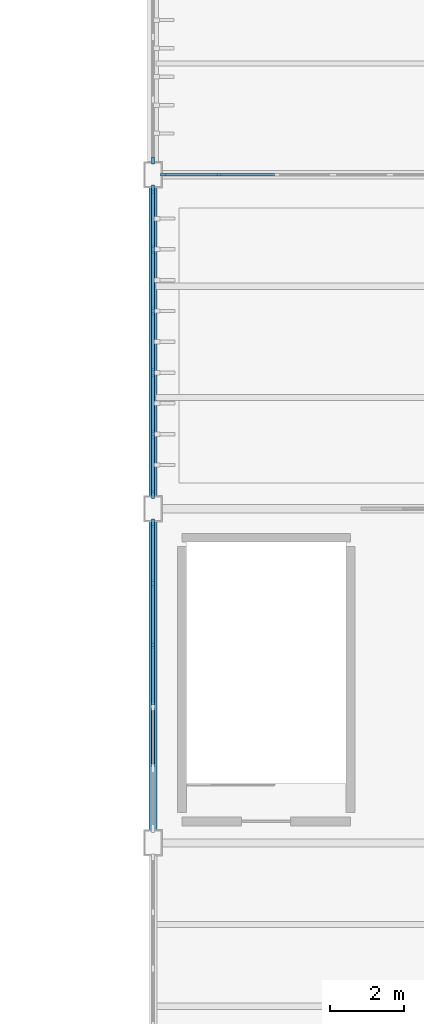
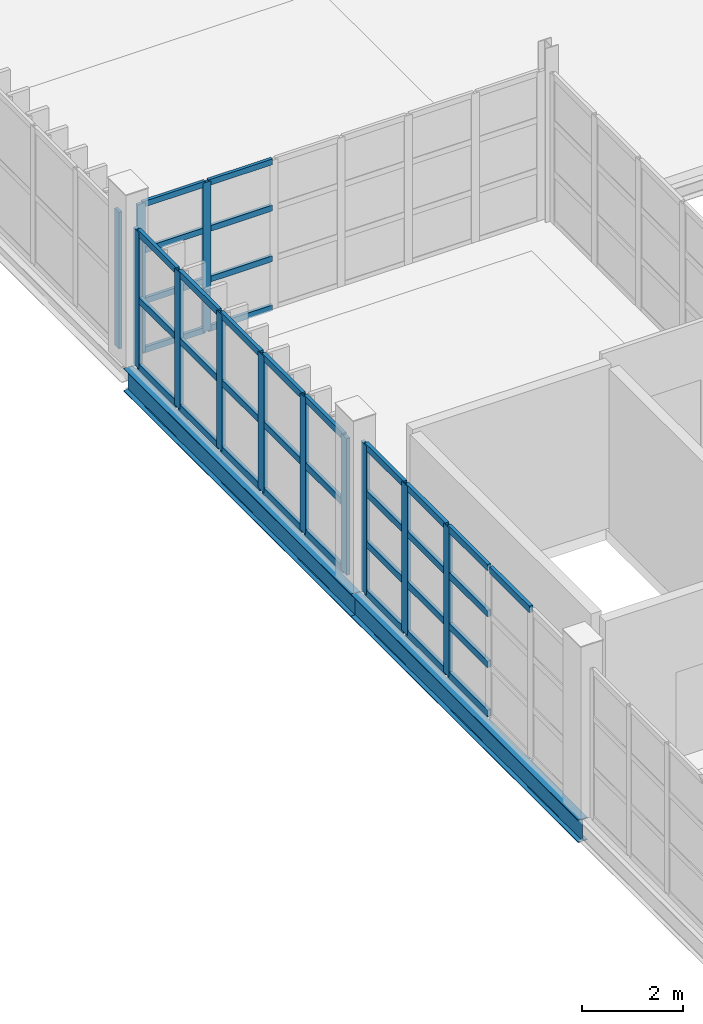
# One storey, part 27 of 82: 48 members, 2 beams, 4 elements without a shape of their own.
"""IFC4 building model written with IfcOpenShell, lengths in metres."""

from ifc_helpers import new_model, si_unit, direction, frame, origin, origin_2d, place, context, subcontext, project, spatial, rectangle, i_section, extrude, material, layer, layer_set, material_profile, profile_set, type_object, element, aggregate, save


model = new_model("IFC4")

# Units and contexts
model_context = context("Model", 3, precision=1e-05, world=origin(), true_north=direction((0.0, 1.0)))
body_context = subcontext(model_context, "Body", "Model", "MODEL_VIEW")
ifc_project = project(units=[si_unit("LENGTHUNIT", "METRE"), si_unit("AREAUNIT", "SQUARE_METRE"), si_unit("VOLUMEUNIT", "CUBIC_METRE"), si_unit("PLANEANGLEUNIT", "RADIAN"), si_unit("MASSUNIT", "GRAM", prefix="KILO")], contexts=[model_context])

# Site, building, storey
site_placement = place(None, origin())
site = spatial("IfcSite", under=ifc_project, at=site_placement, CompositionType="ELEMENT")
building_placement = place(site_placement, origin())
building = spatial("IfcBuilding", under=site, at=building_placement, Name="Zarnetskaya Central Station", CompositionType="ELEMENT")
storey_placement = place(building_placement, frame((0.0, 0.0, 10.199951171875)))
storey = spatial("IfcBuildingStorey", under=building, at=storey_placement, Name="L02", CompositionType="ELEMENT", Elevation=10.199951171875)

# Curtain wall, member
ifc_material_1 = material(Name="Low-E insulated glass", Category="glass")
ifc_layer_1 = layer(ifc_material_1, 0.16796875, Name="Low-E insulated glass", Category="glass")
ifc_layer_set_1 = layer_set([ifc_layer_1], Name="Low-E insulated glass")
curtain_wall_type_1 = type_object("IfcCurtainWallType", Name="CW-SYS-18", PredefinedType="USERDEFINED", material=ifc_layer_set_1)
curtain_wall_1_placement = place(storey_placement, origin())
curtain_wall_1 = element("IfcCurtainWall", 1, at=curtain_wall_1_placement, inside=storey, type_object=curtain_wall_type_1, Name="Curtain wall CW-L02-093", ObjectType="CURTAIN WALL", PredefinedType="USERDEFINED")
ifc_material_2 = material(Name="Anodised aluminium", Category="aluminium")
ifc_material_profile_1 = material_profile(ifc_material_2, rectangle(XDim=0.070068359375, YDim=0.179931640625, at=origin_2d()), Name="ALU MULL 70x180")
ifc_profile_set_1 = profile_set([ifc_material_profile_1], Name="Anodised aluminium")
member_type_1 = type_object("IfcMemberType", Name="CW-MULL-180", PredefinedType="MULLION", material=ifc_profile_set_1)
member_1_placement = place(storey_placement, frame((124.800048828125, 31.5849609375, 0.0), z_axis=(0.0, 0.0, 1.0), x_axis=(1.0, 0.0, 0.0)))
member_1 = element("IfcMember", 2, at=member_1_placement, type_object=member_type_1, Name="CW-10 mullion 6", PredefinedType="MULLION", context=body_context, shape_type="SweptSolid", body=[
    extrude(rectangle(XDim=0.070068359375, YDim=0.179931640625, at=origin_2d()), origin(), (0.0, 0.0, 1.0), 3.300048828125),
])
aggregate(curtain_wall_1, [member_1])

# Curtain wall, members
ifc_layer_2 = layer(ifc_material_1, 0.1640625, Name="Low-E insulated glass", Category="glass")
ifc_layer_set_2 = layer_set([ifc_layer_2], Name="Low-E insulated glass")
curtain_wall_type_2 = type_object("IfcCurtainWallType", Name="CW-SYS-07", PredefinedType="USERDEFINED", material=ifc_layer_set_2)
curtain_wall_2_placement = place(storey_placement, origin())
curtain_wall_2 = element("IfcCurtainWall", 3, at=curtain_wall_2_placement, inside=storey, type_object=curtain_wall_type_2, Name="Curtain wall CW-L02-137", ObjectType="CURTAIN WALL", PredefinedType="USERDEFINED")
member_2_placement = place(storey_placement, frame((125.0849609375, 31.199951171875, 0.0), z_axis=(0.0, 0.0, 1.0), x_axis=(0.0, 1.0, 0.0)))
member_2 = element("IfcMember", 4, at=member_2_placement, type_object=member_type_1, Name="CW-06 mullion 1", PredefinedType="MULLION", context=body_context, shape_type="SweptSolid", body=[
    extrude(rectangle(XDim=0.070068359375, YDim=0.179931640625, at=origin_2d()), origin(), (0.0, 0.0, 1.0), 3.60009765625),
])
member_3_placement = place(storey_placement, frame((126.583251953125, 31.199951171875, 0.0), z_axis=(0.0, 0.0, 1.0), x_axis=(0.0, 1.0, 0.0)))
member_3 = element("IfcMember", 5, at=member_3_placement, type_object=member_type_1, Name="CW-06 mullion 2", PredefinedType="MULLION", context=body_context, shape_type="SweptSolid", body=[
    extrude(rectangle(XDim=0.070068359375, YDim=0.179931640625, at=origin_2d()), origin(), (0.0, 0.0, 1.0), 3.60009765625),
])

curtain_wall_3_placement = place(storey_placement, origin())
curtain_wall_3 = element("IfcCurtainWall", 6, at=curtain_wall_3_placement, inside=storey, type_object=curtain_wall_type_1, Name="Curtain wall CW-L02-090", ObjectType="CURTAIN WALL", PredefinedType="USERDEFINED")
ifc_material_profile_2 = material_profile(ifc_material_2, rectangle(XDim=0.080078125, YDim=0.219970703125, at=origin_2d()), Name="ALU MULL 80x220")
ifc_profile_set_2 = profile_set([ifc_material_profile_2], Name="Anodised aluminium")
member_type_2 = type_object("IfcMemberType", Name="CW-MULL-220", PredefinedType="MULLION", material=ifc_profile_set_2)
member_4_placement = place(storey_placement, frame((124.800048828125, 30.81005859375, 0.0), z_axis=(0.0, 0.0, 1.0), x_axis=(1.0, 0.0, 0.0)))
member_4 = element("IfcMember", 7, at=member_4_placement, type_object=member_type_2, Name="CW-10 mullion 1", PredefinedType="MULLION", context=body_context, shape_type="SweptSolid", body=[
    extrude(rectangle(XDim=0.080078125, YDim=0.219970703125, at=origin_2d()), origin(), (0.0, 0.0, 1.0), 3.300048828125),
])
member_5_placement = place(storey_placement, frame((124.800048828125, 29.18994140625, 0.0), z_axis=(0.0, 0.0, 1.0), x_axis=(1.0, 0.0, 0.0)))
member_5 = element("IfcMember", 8, at=member_5_placement, type_object=member_type_2, Name="CW-10 mullion 2", PredefinedType="MULLION", context=body_context, shape_type="SweptSolid", body=[
    extrude(rectangle(XDim=0.080078125, YDim=0.219970703125, at=origin_2d()), origin(), (0.0, 0.0, 1.0), 3.300048828125),
])
member_6_placement = place(storey_placement, frame((124.800048828125, 27.530029296875, 0.0), z_axis=(0.0, 0.0, 1.0), x_axis=(1.0, 0.0, 0.0)))
member_6 = element("IfcMember", 9, at=member_6_placement, type_object=member_type_2, Name="CW-10 mullion 3", PredefinedType="MULLION", context=body_context, shape_type="SweptSolid", body=[
    extrude(rectangle(XDim=0.080078125, YDim=0.219970703125, at=origin_2d()), origin(), (0.0, 0.0, 1.0), 3.300048828125),
])
member_7_placement = place(storey_placement, frame((124.800048828125, 25.8701171875, 0.0), z_axis=(0.0, 0.0, 1.0), x_axis=(1.0, 0.0, 0.0)))
member_7 = element("IfcMember", 10, at=member_7_placement, type_object=member_type_2, Name="CW-10 mullion 4", PredefinedType="MULLION", context=body_context, shape_type="SweptSolid", body=[
    extrude(rectangle(XDim=0.080078125, YDim=0.219970703125, at=origin_2d()), origin(), (0.0, 0.0, 1.0), 3.300048828125),
])
member_8_placement = place(storey_placement, frame((124.800048828125, 24.2099609375, 0.0), z_axis=(0.0, 0.0, 1.0), x_axis=(1.0, 0.0, 0.0)))
member_8 = element("IfcMember", 11, at=member_8_placement, type_object=member_type_2, Name="CW-10 mullion 5", PredefinedType="MULLION", context=body_context, shape_type="SweptSolid", body=[
    extrude(rectangle(XDim=0.080078125, YDim=0.219970703125, at=origin_2d()), origin(), (0.0, 0.0, 1.0), 3.300048828125),
])
member_9_placement = place(storey_placement, frame((124.800048828125, 22.590087890625, 0.0), z_axis=(0.0, 0.0, 1.0), x_axis=(1.0, 0.0, 0.0)))
member_9 = element("IfcMember", 12, at=member_9_placement, type_object=member_type_2, Name="CW-10 mullion 6", PredefinedType="MULLION", context=body_context, shape_type="SweptSolid", body=[
    extrude(rectangle(XDim=0.080078125, YDim=0.219970703125, at=origin_2d()), origin(), (0.0, 0.0, 1.0), 3.300048828125),
])

curtain_wall_4_placement = place(storey_placement, origin())
curtain_wall_4 = element("IfcCurtainWall", 13, at=curtain_wall_4_placement, inside=storey, type_object=curtain_wall_type_2, Name="Curtain wall CW-L02-136", ObjectType="CURTAIN WALL", PredefinedType="USERDEFINED")
member_10_placement = place(storey_placement, frame((124.800048828125, 18.530029296875, 0.0), z_axis=(0.0, 0.0, 1.0), x_axis=(-1.0, 0.0, 0.0)))
member_10 = element("IfcMember", 14, at=member_10_placement, type_object=member_type_2, Name="CW-06 mullion 4", PredefinedType="MULLION", context=body_context, shape_type="SweptSolid", body=[
    extrude(rectangle(XDim=0.080078125, YDim=0.219970703125, at=origin_2d()), origin(), (0.0, 0.0, 1.0), 3.60009765625),
])
member_11_placement = place(storey_placement, frame((124.800048828125, 20.18994140625, 0.0), z_axis=(0.0, 0.0, 1.0), x_axis=(-1.0, 0.0, 0.0)))
member_11 = element("IfcMember", 15, at=member_11_placement, type_object=member_type_2, Name="CW-06 mullion 5", PredefinedType="MULLION", context=body_context, shape_type="SweptSolid", body=[
    extrude(rectangle(XDim=0.080078125, YDim=0.219970703125, at=origin_2d()), origin(), (0.0, 0.0, 1.0), 3.60009765625),
])
member_12_placement = place(storey_placement, frame((124.800048828125, 21.81005859375, 0.0), z_axis=(0.0, 0.0, 1.0), x_axis=(-1.0, 0.0, 0.0)))
member_12 = element("IfcMember", 16, at=member_12_placement, type_object=member_type_2, Name="CW-06 mullion 6", PredefinedType="MULLION", context=body_context, shape_type="SweptSolid", body=[
    extrude(rectangle(XDim=0.080078125, YDim=0.219970703125, at=origin_2d()), origin(), (0.0, 0.0, 1.0), 3.60009765625),
])

# Member
ifc_material_profile_3 = material_profile(ifc_material_2, rectangle(XDim=0.070068359375, YDim=0.139892578125, at=origin_2d()), Name="ALU TRAN 70x140")
ifc_profile_set_3 = profile_set([ifc_material_profile_3], Name="Anodised aluminium")
member_type_3 = type_object("IfcMemberType", Name="CW-TRAN-140", PredefinedType="USERDEFINED", material=ifc_profile_set_3)
member_13_placement = place(storey_placement, frame((125.1201171875, 31.199951171875, 0.03515625), z_axis=(1.0, 0.0, 0.0), x_axis=(0.0, 1.0, 0.0)))
member_13 = element("IfcMember", 17, at=member_13_placement, type_object=member_type_3, Name="CW-06 transom 1.1", ObjectType="TRANSOM", PredefinedType="USERDEFINED", context=body_context, shape_type="SweptSolid", body=[
    extrude(rectangle(XDim=0.070068359375, YDim=0.139892578125, at=origin_2d()), origin(), (0.0, 0.0, 1.0), 1.42822265625),
])

member_14_placement = place(storey_placement, frame((125.1201171875, 31.199951171875, 1.22412109375), z_axis=(1.0, 0.0, 0.0), x_axis=(0.0, 1.0, 0.0)))
member_14 = element("IfcMember", 18, at=member_14_placement, type_object=member_type_3, Name="CW-06 transom 1.2", ObjectType="TRANSOM", PredefinedType="USERDEFINED", context=body_context, shape_type="SweptSolid", body=[
    extrude(rectangle(XDim=0.070068359375, YDim=0.139892578125, at=origin_2d()), origin(), (0.0, 0.0, 1.0), 1.42822265625),
])

member_15_placement = place(storey_placement, frame((125.1201171875, 31.199951171875, 2.447998046875), z_axis=(1.0, 0.0, 0.0), x_axis=(0.0, 1.0, 0.0)))
member_15 = element("IfcMember", 19, at=member_15_placement, type_object=member_type_3, Name="CW-06 transom 1.3", ObjectType="TRANSOM", PredefinedType="USERDEFINED", context=body_context, shape_type="SweptSolid", body=[
    extrude(rectangle(XDim=0.070068359375, YDim=0.139892578125, at=origin_2d()), origin(), (0.0, 0.0, 1.0), 1.42822265625),
])

member_16_placement = place(storey_placement, frame((125.1201171875, 31.199951171875, 3.56494140625), z_axis=(1.0, 0.0, 0.0), x_axis=(0.0, 1.0, 0.0)))
member_16 = element("IfcMember", 20, at=member_16_placement, type_object=member_type_3, Name="CW-06 transom 1.4", ObjectType="TRANSOM", PredefinedType="USERDEFINED", context=body_context, shape_type="SweptSolid", body=[
    extrude(rectangle(XDim=0.070068359375, YDim=0.139892578125, at=origin_2d()), origin(), (0.0, 0.0, 1.0), 1.42822265625),
])

member_17_placement = place(storey_placement, frame((126.618408203125, 31.199951171875, 0.03515625), z_axis=(1.0, 0.0, 0.0), x_axis=(0.0, 1.0, 0.0)))
member_17 = element("IfcMember", 21, at=member_17_placement, type_object=member_type_3, Name="CW-06 transom 2.1", ObjectType="TRANSOM", PredefinedType="USERDEFINED", context=body_context, shape_type="SweptSolid", body=[
    extrude(rectangle(XDim=0.070068359375, YDim=0.139892578125, at=origin_2d()), origin(), (0.0, 0.0, 1.0), 1.46337890625),
])

member_18_placement = place(storey_placement, frame((126.618408203125, 31.199951171875, 1.22412109375), z_axis=(1.0, 0.0, 0.0), x_axis=(0.0, 1.0, 0.0)))
member_18 = element("IfcMember", 22, at=member_18_placement, type_object=member_type_3, Name="CW-06 transom 2.2", ObjectType="TRANSOM", PredefinedType="USERDEFINED", context=body_context, shape_type="SweptSolid", body=[
    extrude(rectangle(XDim=0.070068359375, YDim=0.139892578125, at=origin_2d()), origin(), (0.0, 0.0, 1.0), 1.46337890625),
])

member_19_placement = place(storey_placement, frame((126.618408203125, 31.199951171875, 2.447998046875), z_axis=(1.0, 0.0, 0.0), x_axis=(0.0, 1.0, 0.0)))
member_19 = element("IfcMember", 23, at=member_19_placement, type_object=member_type_3, Name="CW-06 transom 2.3", ObjectType="TRANSOM", PredefinedType="USERDEFINED", context=body_context, shape_type="SweptSolid", body=[
    extrude(rectangle(XDim=0.070068359375, YDim=0.139892578125, at=origin_2d()), origin(), (0.0, 0.0, 1.0), 1.46337890625),
])

member_20_placement = place(storey_placement, frame((126.618408203125, 31.199951171875, 3.56494140625), z_axis=(1.0, 0.0, 0.0), x_axis=(0.0, 1.0, 0.0)))
member_20 = element("IfcMember", 24, at=member_20_placement, type_object=member_type_3, Name="CW-06 transom 2.4", ObjectType="TRANSOM", PredefinedType="USERDEFINED", context=body_context, shape_type="SweptSolid", body=[
    extrude(rectangle(XDim=0.070068359375, YDim=0.139892578125, at=origin_2d()), origin(), (0.0, 0.0, 1.0), 1.46337890625),
])

aggregate(curtain_wall_2, [member_2, member_3, member_13, member_14, member_15, member_16, member_17, member_18, member_19, member_20])

ifc_material_profile_4 = material_profile(ifc_material_2, rectangle(XDim=0.080078125, YDim=0.159912109375, at=origin_2d()), Name="ALU TRAN 80x160")
ifc_profile_set_4 = profile_set([ifc_material_profile_4], Name="Anodised aluminium")
member_type_4 = type_object("IfcMemberType", Name="CW-TRAN-160", PredefinedType="USERDEFINED", material=ifc_profile_set_4)
member_21_placement = place(storey_placement, frame((124.800048828125, 30.77001953125, 0.0400390625), z_axis=(0.0, -1.0, 0.0), x_axis=(1.0, 0.0, 0.0)))
member_21 = element("IfcMember", 25, at=member_21_placement, type_object=member_type_4, Name="CW-10 transom 1.1", ObjectType="TRANSOM", PredefinedType="USERDEFINED", context=body_context, shape_type="SweptSolid", body=[
    extrude(rectangle(XDim=0.080078125, YDim=0.159912109375, at=origin_2d()), origin(), (0.0, 0.0, 1.0), 1.5400390625),
])

member_22_placement = place(storey_placement, frame((124.800048828125, 30.77001953125, 1.650146484375), z_axis=(0.0, -1.0, 0.0), x_axis=(1.0, 0.0, 0.0)))
member_22 = element("IfcMember", 26, at=member_22_placement, type_object=member_type_4, Name="CW-10 transom 1.2", ObjectType="TRANSOM", PredefinedType="USERDEFINED", context=body_context, shape_type="SweptSolid", body=[
    extrude(rectangle(XDim=0.080078125, YDim=0.159912109375, at=origin_2d()), origin(), (0.0, 0.0, 1.0), 1.5400390625),
])

member_23_placement = place(storey_placement, frame((124.800048828125, 30.77001953125, 3.260009765625), z_axis=(0.0, -1.0, 0.0), x_axis=(1.0, 0.0, 0.0)))
member_23 = element("IfcMember", 27, at=member_23_placement, type_object=member_type_4, Name="CW-10 transom 1.3", ObjectType="TRANSOM", PredefinedType="USERDEFINED", context=body_context, shape_type="SweptSolid", body=[
    extrude(rectangle(XDim=0.080078125, YDim=0.159912109375, at=origin_2d()), origin(), (0.0, 0.0, 1.0), 1.5400390625),
])

member_24_placement = place(storey_placement, frame((124.800048828125, 29.14990234375, 0.0400390625), z_axis=(0.0, -1.0, 0.0), x_axis=(1.0, 0.0, 0.0)))
member_24 = element("IfcMember", 28, at=member_24_placement, type_object=member_type_4, Name="CW-10 transom 2.1", ObjectType="TRANSOM", PredefinedType="USERDEFINED", context=body_context, shape_type="SweptSolid", body=[
    extrude(rectangle(XDim=0.080078125, YDim=0.159912109375, at=origin_2d()), origin(), (0.0, 0.0, 1.0), 1.579833984375),
])

member_25_placement = place(storey_placement, frame((124.800048828125, 29.14990234375, 1.650146484375), z_axis=(0.0, -1.0, 0.0), x_axis=(1.0, 0.0, 0.0)))
member_25 = element("IfcMember", 29, at=member_25_placement, type_object=member_type_4, Name="CW-10 transom 2.2", ObjectType="TRANSOM", PredefinedType="USERDEFINED", context=body_context, shape_type="SweptSolid", body=[
    extrude(rectangle(XDim=0.080078125, YDim=0.159912109375, at=origin_2d()), origin(), (0.0, 0.0, 1.0), 1.579833984375),
])

member_26_placement = place(storey_placement, frame((124.800048828125, 29.14990234375, 3.260009765625), z_axis=(0.0, -1.0, 0.0), x_axis=(1.0, 0.0, 0.0)))
member_26 = element("IfcMember", 30, at=member_26_placement, type_object=member_type_4, Name="CW-10 transom 2.3", ObjectType="TRANSOM", PredefinedType="USERDEFINED", context=body_context, shape_type="SweptSolid", body=[
    extrude(rectangle(XDim=0.080078125, YDim=0.159912109375, at=origin_2d()), origin(), (0.0, 0.0, 1.0), 1.579833984375),
])

member_27_placement = place(storey_placement, frame((124.800048828125, 27.489990234375, 0.0400390625), z_axis=(0.0, -1.0, 0.0), x_axis=(1.0, 0.0, 0.0)))
member_27 = element("IfcMember", 31, at=member_27_placement, type_object=member_type_4, Name="CW-10 transom 3.1", ObjectType="TRANSOM", PredefinedType="USERDEFINED", context=body_context, shape_type="SweptSolid", body=[
    extrude(rectangle(XDim=0.080078125, YDim=0.159912109375, at=origin_2d()), origin(), (0.0, 0.0, 1.0), 1.580078125),
])

member_28_placement = place(storey_placement, frame((124.800048828125, 27.489990234375, 1.650146484375), z_axis=(0.0, -1.0, 0.0), x_axis=(1.0, 0.0, 0.0)))
member_28 = element("IfcMember", 32, at=member_28_placement, type_object=member_type_4, Name="CW-10 transom 3.2", ObjectType="TRANSOM", PredefinedType="USERDEFINED", context=body_context, shape_type="SweptSolid", body=[
    extrude(rectangle(XDim=0.080078125, YDim=0.159912109375, at=origin_2d()), origin(), (0.0, 0.0, 1.0), 1.580078125),
])

member_29_placement = place(storey_placement, frame((124.800048828125, 27.489990234375, 3.260009765625), z_axis=(0.0, -1.0, 0.0), x_axis=(1.0, 0.0, 0.0)))
member_29 = element("IfcMember", 33, at=member_29_placement, type_object=member_type_4, Name="CW-10 transom 3.3", ObjectType="TRANSOM", PredefinedType="USERDEFINED", context=body_context, shape_type="SweptSolid", body=[
    extrude(rectangle(XDim=0.080078125, YDim=0.159912109375, at=origin_2d()), origin(), (0.0, 0.0, 1.0), 1.580078125),
])

member_30_placement = place(storey_placement, frame((124.800048828125, 25.830078125, 0.0400390625), z_axis=(0.0, -1.0, 0.0), x_axis=(1.0, 0.0, 0.0)))
member_30 = element("IfcMember", 34, at=member_30_placement, type_object=member_type_4, Name="CW-10 transom 4.1", ObjectType="TRANSOM", PredefinedType="USERDEFINED", context=body_context, shape_type="SweptSolid", body=[
    extrude(rectangle(XDim=0.080078125, YDim=0.159912109375, at=origin_2d()), origin(), (0.0, 0.0, 1.0), 1.580078125),
])

member_31_placement = place(storey_placement, frame((124.800048828125, 25.830078125, 1.650146484375), z_axis=(0.0, -1.0, 0.0), x_axis=(1.0, 0.0, 0.0)))
member_31 = element("IfcMember", 35, at=member_31_placement, type_object=member_type_4, Name="CW-10 transom 4.2", ObjectType="TRANSOM", PredefinedType="USERDEFINED", context=body_context, shape_type="SweptSolid", body=[
    extrude(rectangle(XDim=0.080078125, YDim=0.159912109375, at=origin_2d()), origin(), (0.0, 0.0, 1.0), 1.580078125),
])

member_32_placement = place(storey_placement, frame((124.800048828125, 25.830078125, 3.260009765625), z_axis=(0.0, -1.0, 0.0), x_axis=(1.0, 0.0, 0.0)))
member_32 = element("IfcMember", 36, at=member_32_placement, type_object=member_type_4, Name="CW-10 transom 4.3", ObjectType="TRANSOM", PredefinedType="USERDEFINED", context=body_context, shape_type="SweptSolid", body=[
    extrude(rectangle(XDim=0.080078125, YDim=0.159912109375, at=origin_2d()), origin(), (0.0, 0.0, 1.0), 1.580078125),
])

member_33_placement = place(storey_placement, frame((124.800048828125, 24.169921875, 0.0400390625), z_axis=(0.0, -1.0, 0.0), x_axis=(1.0, 0.0, 0.0)))
member_33 = element("IfcMember", 37, at=member_33_placement, type_object=member_type_4, Name="CW-10 transom 5.1", ObjectType="TRANSOM", PredefinedType="USERDEFINED", context=body_context, shape_type="SweptSolid", body=[
    extrude(rectangle(XDim=0.080078125, YDim=0.159912109375, at=origin_2d()), origin(), (0.0, 0.0, 1.0), 1.5400390625),
])

member_34_placement = place(storey_placement, frame((124.800048828125, 24.169921875, 1.650146484375), z_axis=(0.0, -1.0, 0.0), x_axis=(1.0, 0.0, 0.0)))
member_34 = element("IfcMember", 38, at=member_34_placement, type_object=member_type_4, Name="CW-10 transom 5.2", ObjectType="TRANSOM", PredefinedType="USERDEFINED", context=body_context, shape_type="SweptSolid", body=[
    extrude(rectangle(XDim=0.080078125, YDim=0.159912109375, at=origin_2d()), origin(), (0.0, 0.0, 1.0), 1.5400390625),
])

member_35_placement = place(storey_placement, frame((124.800048828125, 24.169921875, 3.260009765625), z_axis=(0.0, -1.0, 0.0), x_axis=(1.0, 0.0, 0.0)))
member_35 = element("IfcMember", 39, at=member_35_placement, type_object=member_type_4, Name="CW-10 transom 5.3", ObjectType="TRANSOM", PredefinedType="USERDEFINED", context=body_context, shape_type="SweptSolid", body=[
    extrude(rectangle(XDim=0.080078125, YDim=0.159912109375, at=origin_2d()), origin(), (0.0, 0.0, 1.0), 1.5400390625),
])

aggregate(curtain_wall_3, [member_4, member_5, member_6, member_7, member_8, member_9, member_21, member_22, member_23, member_24, member_25, member_26, member_27, member_28, member_29, member_30, member_31, member_32, member_33, member_34, member_35])

member_36_placement = place(storey_placement, frame((124.800048828125, 15.25, 3.56005859375), z_axis=(0.0, 1.0, 0.0), x_axis=(-1.0, 0.0, 0.0)))
member_36 = element("IfcMember", 40, at=member_36_placement, type_object=member_type_4, Name="CW-06 transom 2.4", ObjectType="TRANSOM", PredefinedType="USERDEFINED", context=body_context, shape_type="SweptSolid", body=[
    extrude(rectangle(XDim=0.080078125, YDim=0.159912109375, at=origin_2d()), origin(), (0.0, 0.0, 1.0), 1.580078125),
])

member_37_placement = place(storey_placement, frame((124.800048828125, 16.909912109375, 0.0400390625), z_axis=(0.0, 1.0, 0.0), x_axis=(-1.0, 0.0, 0.0)))
member_37 = element("IfcMember", 41, at=member_37_placement, type_object=member_type_4, Name="CW-06 transom 3.1", ObjectType="TRANSOM", PredefinedType="USERDEFINED", context=body_context, shape_type="SweptSolid", body=[
    extrude(rectangle(XDim=0.080078125, YDim=0.159912109375, at=origin_2d()), origin(), (0.0, 0.0, 1.0), 1.580078125),
])

member_38_placement = place(storey_placement, frame((124.800048828125, 16.909912109375, 1.22412109375), z_axis=(0.0, 1.0, 0.0), x_axis=(-1.0, 0.0, 0.0)))
member_38 = element("IfcMember", 42, at=member_38_placement, type_object=member_type_4, Name="CW-06 transom 3.2", ObjectType="TRANSOM", PredefinedType="USERDEFINED", context=body_context, shape_type="SweptSolid", body=[
    extrude(rectangle(XDim=0.080078125, YDim=0.159912109375, at=origin_2d()), origin(), (0.0, 0.0, 1.0), 1.580078125),
])

member_39_placement = place(storey_placement, frame((124.800048828125, 16.909912109375, 2.447998046875), z_axis=(0.0, 1.0, 0.0), x_axis=(-1.0, 0.0, 0.0)))
member_39 = element("IfcMember", 43, at=member_39_placement, type_object=member_type_4, Name="CW-06 transom 3.3", ObjectType="TRANSOM", PredefinedType="USERDEFINED", context=body_context, shape_type="SweptSolid", body=[
    extrude(rectangle(XDim=0.080078125, YDim=0.159912109375, at=origin_2d()), origin(), (0.0, 0.0, 1.0), 1.580078125),
])

member_40_placement = place(storey_placement, frame((124.800048828125, 16.909912109375, 3.56005859375), z_axis=(0.0, 1.0, 0.0), x_axis=(-1.0, 0.0, 0.0)))
member_40 = element("IfcMember", 44, at=member_40_placement, type_object=member_type_4, Name="CW-06 transom 3.4", ObjectType="TRANSOM", PredefinedType="USERDEFINED", context=body_context, shape_type="SweptSolid", body=[
    extrude(rectangle(XDim=0.080078125, YDim=0.159912109375, at=origin_2d()), origin(), (0.0, 0.0, 1.0), 1.580078125),
])

member_41_placement = place(storey_placement, frame((124.800048828125, 18.570068359375, 0.0400390625), z_axis=(0.0, 1.0, 0.0), x_axis=(-1.0, 0.0, 0.0)))
member_41 = element("IfcMember", 45, at=member_41_placement, type_object=member_type_4, Name="CW-06 transom 4.1", ObjectType="TRANSOM", PredefinedType="USERDEFINED", context=body_context, shape_type="SweptSolid", body=[
    extrude(rectangle(XDim=0.080078125, YDim=0.159912109375, at=origin_2d()), origin(), (0.0, 0.0, 1.0), 1.579833984375),
])

member_42_placement = place(storey_placement, frame((124.800048828125, 18.570068359375, 1.22412109375), z_axis=(0.0, 1.0, 0.0), x_axis=(-1.0, 0.0, 0.0)))
member_42 = element("IfcMember", 46, at=member_42_placement, type_object=member_type_4, Name="CW-06 transom 4.2", ObjectType="TRANSOM", PredefinedType="USERDEFINED", context=body_context, shape_type="SweptSolid", body=[
    extrude(rectangle(XDim=0.080078125, YDim=0.159912109375, at=origin_2d()), origin(), (0.0, 0.0, 1.0), 1.579833984375),
])

member_43_placement = place(storey_placement, frame((124.800048828125, 18.570068359375, 2.447998046875), z_axis=(0.0, 1.0, 0.0), x_axis=(-1.0, 0.0, 0.0)))
member_43 = element("IfcMember", 47, at=member_43_placement, type_object=member_type_4, Name="CW-06 transom 4.3", ObjectType="TRANSOM", PredefinedType="USERDEFINED", context=body_context, shape_type="SweptSolid", body=[
    extrude(rectangle(XDim=0.080078125, YDim=0.159912109375, at=origin_2d()), origin(), (0.0, 0.0, 1.0), 1.579833984375),
])

member_44_placement = place(storey_placement, frame((124.800048828125, 18.570068359375, 3.56005859375), z_axis=(0.0, 1.0, 0.0), x_axis=(-1.0, 0.0, 0.0)))
member_44 = element("IfcMember", 48, at=member_44_placement, type_object=member_type_4, Name="CW-06 transom 4.4", ObjectType="TRANSOM", PredefinedType="USERDEFINED", context=body_context, shape_type="SweptSolid", body=[
    extrude(rectangle(XDim=0.080078125, YDim=0.159912109375, at=origin_2d()), origin(), (0.0, 0.0, 1.0), 1.579833984375),
])

member_45_placement = place(storey_placement, frame((124.800048828125, 20.22998046875, 0.0400390625), z_axis=(0.0, 1.0, 0.0), x_axis=(-1.0, 0.0, 0.0)))
member_45 = element("IfcMember", 49, at=member_45_placement, type_object=member_type_4, Name="CW-06 transom 5.1", ObjectType="TRANSOM", PredefinedType="USERDEFINED", context=body_context, shape_type="SweptSolid", body=[
    extrude(rectangle(XDim=0.080078125, YDim=0.159912109375, at=origin_2d()), origin(), (0.0, 0.0, 1.0), 1.5400390625),
])

member_46_placement = place(storey_placement, frame((124.800048828125, 20.22998046875, 1.22412109375), z_axis=(0.0, 1.0, 0.0), x_axis=(-1.0, 0.0, 0.0)))
member_46 = element("IfcMember", 50, at=member_46_placement, type_object=member_type_4, Name="CW-06 transom 5.2", ObjectType="TRANSOM", PredefinedType="USERDEFINED", context=body_context, shape_type="SweptSolid", body=[
    extrude(rectangle(XDim=0.080078125, YDim=0.159912109375, at=origin_2d()), origin(), (0.0, 0.0, 1.0), 1.5400390625),
])

member_47_placement = place(storey_placement, frame((124.800048828125, 20.22998046875, 2.447998046875), z_axis=(0.0, 1.0, 0.0), x_axis=(-1.0, 0.0, 0.0)))
member_47 = element("IfcMember", 51, at=member_47_placement, type_object=member_type_4, Name="CW-06 transom 5.3", ObjectType="TRANSOM", PredefinedType="USERDEFINED", context=body_context, shape_type="SweptSolid", body=[
    extrude(rectangle(XDim=0.080078125, YDim=0.159912109375, at=origin_2d()), origin(), (0.0, 0.0, 1.0), 1.5400390625),
])

member_48_placement = place(storey_placement, frame((124.800048828125, 20.22998046875, 3.56005859375), z_axis=(0.0, 1.0, 0.0), x_axis=(-1.0, 0.0, 0.0)))
member_48 = element("IfcMember", 52, at=member_48_placement, type_object=member_type_4, Name="CW-06 transom 5.4", ObjectType="TRANSOM", PredefinedType="USERDEFINED", context=body_context, shape_type="SweptSolid", body=[
    extrude(rectangle(XDim=0.080078125, YDim=0.159912109375, at=origin_2d()), origin(), (0.0, 0.0, 1.0), 1.5400390625),
])

aggregate(curtain_wall_4, [member_10, member_11, member_12, member_36, member_37, member_38, member_39, member_40, member_41, member_42, member_43, member_44, member_45, member_46, member_47, member_48])

# Beams
ifc_material_3 = material(Name="Steel S355", Category="steel")
ifc_material_profile_5 = material_profile(ifc_material_3, i_section(OverallWidth=0.2099609375, OverallDepth=0.550048828125, WebThickness=0.010986328125, FlangeThickness=0.01708984375, FilletRadius=0.02392578125, at=origin_2d()), Name="IPE 550")
ifc_profile_set_5 = profile_set([ifc_material_profile_5], Name="Steel S355")
beam_type = type_object("IfcBeamType", Name="GD-FLR-550", PredefinedType="USERDEFINED", material=ifc_profile_set_5)
for number, where, z_axis, x_axis, name in (
    (53, (124.800048828125, 13.199951171875, -0.534912109375), (0.0, 1.0, 0.0), (-1.0, 0.0, 0.0), "Grid girder GY-L02-P-34"),
    (54, (124.800048828125, 22.199951171875, -0.534912109375), (0.0, 1.0, 0.0), (-1.0, 0.0, 0.0), "Grid girder GY-L02-P-45"),
):
    element("IfcBeam", number, at=place(storey_placement, frame(where, z_axis=z_axis, x_axis=x_axis)), inside=storey, type_object=beam_type, Name=name, ObjectType="GIRDER", PredefinedType="USERDEFINED", context=body_context, shape_type="SweptSolid", body=[
        extrude(i_section(OverallWidth=0.2099609375, OverallDepth=0.550048828125, WebThickness=0.010986328125, FlangeThickness=0.01708984375, FilletRadius=0.02392578125, at=origin_2d()), origin(), (0.0, 0.0, 1.0), 9.0),
    ])

save(model, "model.ifc")
